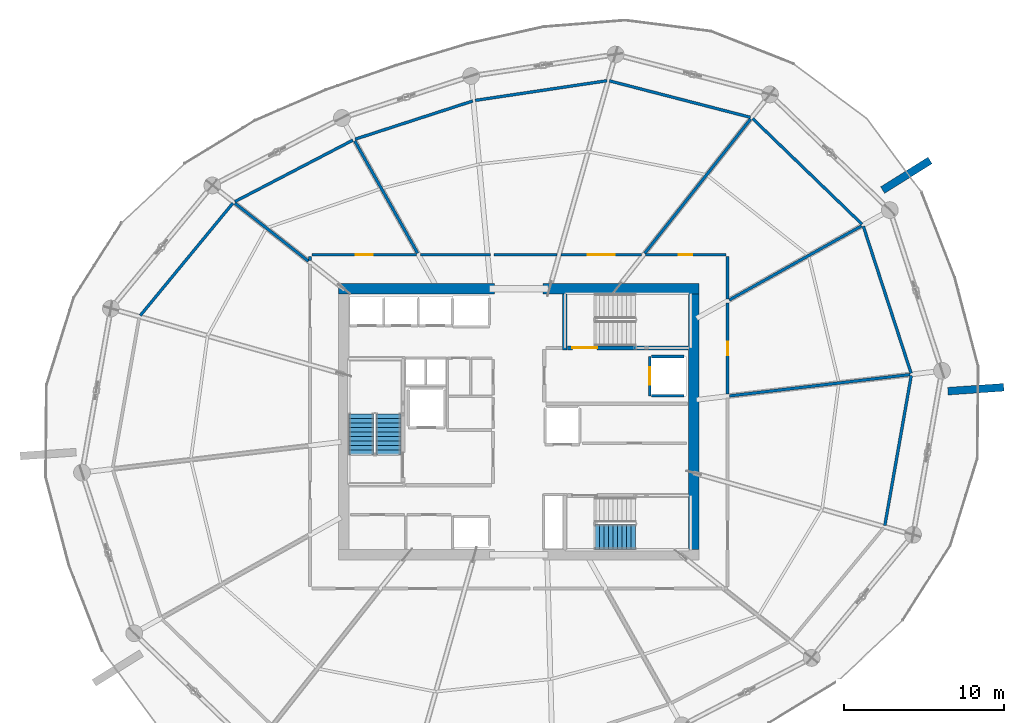
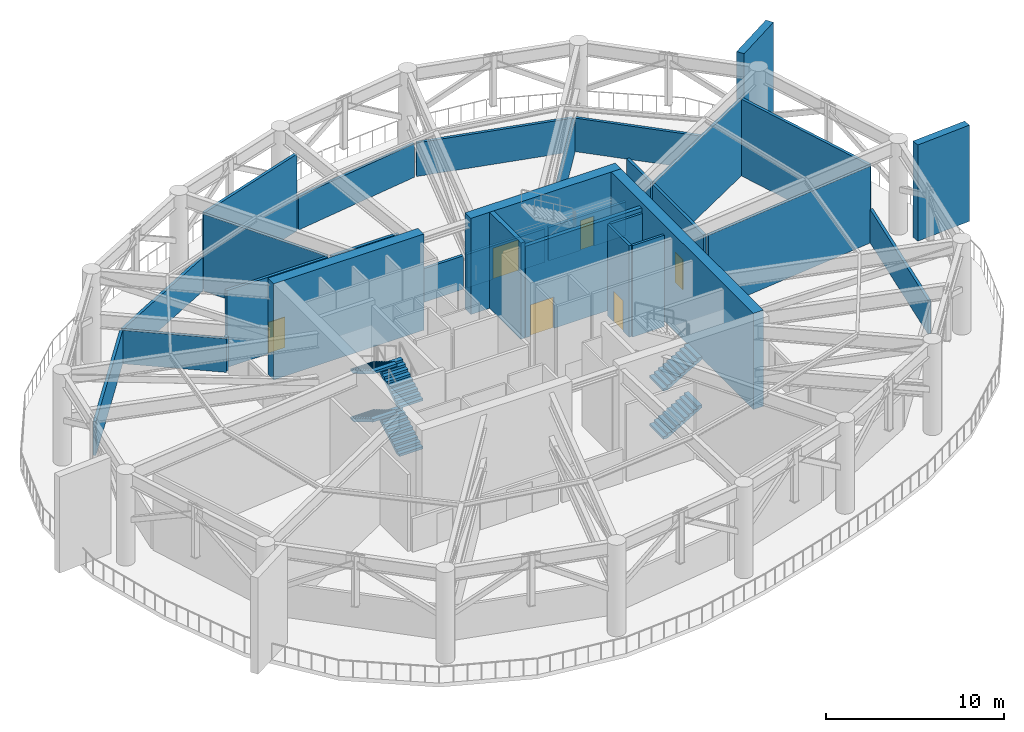
# One storey, part 14 of 20: 31 walls, 6 doors, 6 stair flights, 6 openings, 2 elements without a shape of their own.
"""IFC4 building model written with IfcOpenShell, lengths in metres."""

from ifc_helpers import new_model, si_unit, direction, frame, frame_2d, origin, place, context, subcontext, project, spatial, polyline, rectangle, outline, extrude, material, layer, layer_set, type_object, element, fill, aggregate, save


model = new_model("IFC4")

# Units and contexts
model_context = context("Model", 3, precision=1e-05, world=origin(), true_north=direction((0.0, 1.0)))
body_context = subcontext(model_context, "Body", "Model", "MODEL_VIEW")
ifc_project = project(units=[si_unit("LENGTHUNIT", "METRE"), si_unit("AREAUNIT", "SQUARE_METRE"), si_unit("VOLUMEUNIT", "CUBIC_METRE"), si_unit("PLANEANGLEUNIT", "RADIAN"), si_unit("MASSUNIT", "GRAM", prefix="KILO")], contexts=[model_context])

# Site, building, storey
site_placement = place(None, origin())
site = spatial("IfcSite", under=ifc_project, at=site_placement, CompositionType="ELEMENT")
building_placement = place(site_placement, origin())
building = spatial("IfcBuilding", under=site, at=building_placement, Name="Kazma Halo Residences", CompositionType="ELEMENT")
storey_placement = place(building_placement, frame((0.0, 0.0, 225.300048828125)))
storey = spatial("IfcBuildingStorey", under=building, at=storey_placement, Name="L57", CompositionType="ELEMENT", Elevation=225.300048828125)

# Walls
ifc_material_1 = material(Name="Pale Concrete C60/75", Category="concrete")
ifc_layer_1 = layer(ifc_material_1, 0.47998046875)
ifc_layer_set_1 = layer_set([ifc_layer_1], Name="Pale Concrete C60/75")
wall_type_1 = type_object("IfcWallType", Name="WL-BLADE-480", PredefinedType="SOLIDWALL", material=ifc_layer_set_1)
wall_1_placement = place(storey_placement, frame((71.197509765625, 56.49560546875, 0.0), z_axis=(0.0, 0.0, 1.0), x_axis=(0.848084507158, 0.529860989996, 0.0)))
element("IfcWall", 1, at=wall_1_placement, inside=storey, type_object=wall_type_1, Name="L57 pale concrete structural blade fin wall BW-01", PredefinedType="SOLIDWALL", context=body_context, shape_type="SweptSolid", body=[
    extrude(rectangle(XDim=3.5, YDim=0.47998046875, at=frame_2d((1.75, 0.0))), origin(), (0.0, 0.0, 1.0), 6.599853515625),
])
wall_2_placement = place(storey_placement, frame((75.28759765625, 43.908203125, 0.0), z_axis=(0.0, 0.0, 1.0), x_axis=(0.997563824095, 0.069759707979, 0.0)))
element("IfcWall", 2, at=wall_2_placement, inside=storey, type_object=wall_type_1, Name="L57 pale concrete structural blade fin wall BW-04", PredefinedType="SOLIDWALL", context=body_context, shape_type="SweptSolid", body=[
    extrude(rectangle(XDim=3.499755859375, YDim=0.47998046875, at=frame_2d((1.75, 0.0))), origin(), (0.0, 0.0, 1.0), 6.599853515625),
])
ifc_material_2 = material(Name="Concrete C60/75", Category="concrete")
ifc_layer_2 = layer(ifc_material_2, 0.64990234375)
ifc_layer_set_2 = layer_set([ifc_layer_2], Name="Concrete C60/75")
wall_type_2 = type_object("IfcWallType", Name="WL-CORE-650", PredefinedType="SHEAR", material=ifc_layer_set_2)
for number, where, z_axis, x_axis, name in (
    (3, (37.14990234375, 50.324951171875, 0.0), (0.0, 0.0, 1.0), (1.0, 0.0, 0.0), "L57 central core shear wall NW"),
    (4, (49.949951171875, 50.324951171875, 0.0), (0.0, 0.0, 1.0), (1.0, 0.0, 0.0), "L57 central core shear wall NE"),
):
    element("IfcWall", number, at=place(storey_placement, frame(where, z_axis=z_axis, x_axis=x_axis)), inside=storey, type_object=wall_type_2, Name=name, PredefinedType="SHEAR", context=body_context, shape_type="SweptSolid", body=[
        extrude(rectangle(XDim=9.75, YDim=0.64990234375, at=frame_2d((4.875, 0.0))), origin(), (0.0, 0.0, 1.0), 6.599853515625),
    ])
wall_3_placement = place(storey_placement, frame((59.375, 34.0, 0.0), z_axis=(0.0, 0.0, 1.0), x_axis=(0.0, 1.0, 0.0)))
element("IfcWall", 5, at=wall_3_placement, inside=storey, type_object=wall_type_2, Name="L57 central core shear wall E", PredefinedType="SHEAR", context=body_context, shape_type="SweptSolid", body=[
    extrude(rectangle(XDim=16.0, YDim=0.64990234375, at=frame_2d((8.0, 0.0))), origin(), (0.0, 0.0, 1.0), 6.599853515625),
])
ifc_layer_3 = layer(ifc_material_2, 0.280029296875)
ifc_layer_set_3 = layer_set([ifc_layer_3], Name="Concrete C60/75")
wall_type_3 = type_object("IfcWallType", Name="WL-CORE-ST-280", PredefinedType="SHEAR", material=ifc_layer_set_3)
wall_4_placement = place(storey_placement, frame((51.31005859375, 46.5, 0.0), z_axis=(0.0, 0.0, 1.0), x_axis=(0.0, 1.0, 0.0)))
element("IfcWall", 6, at=wall_4_placement, inside=storey, type_object=wall_type_3, Name="L57 stairwell bearing wall ST02-W", PredefinedType="SHEAR", context=body_context, shape_type="SweptSolid", body=[
    extrude(rectangle(XDim=3.5, YDim=0.280029296875, at=frame_2d((1.75, 0.0))), origin(), (0.0, 0.0, 1.0), 6.599853515625),
])
ifc_material_3 = material(Name="Acoustic Twin-Stud Gypsum")
ifc_layer_4 = layer(ifc_material_3, 0.179931640625)
ifc_layer_set_4 = layer_set([ifc_layer_4], Name="Acoustic Twin-Stud Gypsum")
wall_type_4 = type_object("IfcWallType", Name="WL-DEM-180", PredefinedType="PARTITIONING", material=ifc_layer_set_4)
wall_5_placement = place(storey_placement, frame((69.910400390625, 54.358154296875, 0.0), z_axis=(0.0, 0.0, 1.0), x_axis=(-0.719354198581, 0.694643460334, 0.0)))
element("IfcWall", 7, at=wall_5_placement, inside=storey, type_object=wall_type_4, Name="L57 refuge acoustic perimeter wall 00", PredefinedType="PARTITIONING", context=body_context, shape_type="SweptSolid", body=[
    extrude(rectangle(XDim=9.524169921875, YDim=0.179931640625, at=frame_2d((4.76220703125, 0.0))), origin(), (0.0, 0.0, 1.0), 2.303955078125),
])
wall_6_placement = place(storey_placement, frame((62.92431640625, 61.049560546875, 0.0), z_axis=(0.0, 0.0, 1.0), x_axis=(-0.968121608103, 0.250480641813, 0.0)))
element("IfcWall", 8, at=wall_6_placement, inside=storey, type_object=wall_type_4, Name="L57 refuge acoustic perimeter wall 01", PredefinedType="PARTITIONING", context=body_context, shape_type="SweptSolid", body=[
    extrude(rectangle(XDim=9.115234375, YDim=0.179931640625, at=frame_2d((4.5576171875, 0.0))), origin(), (0.0, 0.0, 1.0), 2.303955078125),
])
wall_7_placement = place(storey_placement, frame((53.943115234375, 63.3408203125, 0.0), z_axis=(0.0, 0.0, 1.0), x_axis=(-0.989036897226, -0.147668601692, 0.0)))
element("IfcWall", 9, at=wall_7_placement, inside=storey, type_object=wall_type_4, Name="L57 refuge acoustic perimeter wall 02", PredefinedType="PARTITIONING", context=body_context, shape_type="SweptSolid", body=[
    extrude(rectangle(XDim=8.334228515625, YDim=0.179931640625, at=frame_2d((4.1669921875, 0.0))), origin(), (0.0, 0.0, 1.0), 2.303955078125),
])
wall_8_placement = place(storey_placement, frame((45.545166015625, 62.073486328125, 0.0), z_axis=(0.0, 0.0, 1.0), x_axis=(-0.951063515405, -0.308995452498, 0.0)))
element("IfcWall", 10, at=wall_8_placement, inside=storey, type_object=wall_type_4, Name="L57 refuge acoustic perimeter wall 03", PredefinedType="PARTITIONING", context=body_context, shape_type="SweptSolid", body=[
    extrude(rectangle(XDim=7.73681640625, YDim=0.179931640625, at=frame_2d((3.868408203125, 0.0))), origin(), (0.0, 0.0, 1.0), 5.27294921875),
])
wall_9_placement = place(storey_placement, frame((38.0400390625, 59.62109375, 0.0), z_axis=(0.0, 0.0, 1.0), x_axis=(-0.886953337161, -0.461859045271, 0.0)))
element("IfcWall", 11, at=wall_9_placement, inside=storey, type_object=wall_type_4, Name="L57 refuge acoustic perimeter wall 04", PredefinedType="PARTITIONING", context=body_context, shape_type="SweptSolid", body=[
    extrude(rectangle(XDim=8.333984375, YDim=0.179931640625, at=frame_2d((4.1669921875, 0.0))), origin(), (0.0, 0.0, 1.0), 2.303955078125),
])
wall_10_placement = place(storey_placement, frame((30.5263671875, 55.67333984375, 0.0), z_axis=(0.0, 0.0, 1.0), x_axis=(-0.636001991142, -0.771687415514, 0.0)))
element("IfcWall", 12, at=wall_10_placement, inside=storey, type_object=wall_type_4, Name="L57 refuge acoustic perimeter wall 05", PredefinedType="PARTITIONING", context=body_context, shape_type="SweptSolid", body=[
    extrude(rectangle(XDim=9.115234375, YDim=0.179931640625, at=frame_2d((4.5576171875, 0.0))), origin(), (0.0, 0.0, 1.0), 2.303955078125),
])
wall_11_placement = place(storey_placement, frame((71.335693359375, 35.501220703125, 0.0), z_axis=(0.0, 0.0, 1.0), x_axis=(0.173669808034, 0.98480393875, 0.0)))
element("IfcWall", 13, at=wall_11_placement, inside=storey, type_object=wall_type_4, Name="L57 refuge acoustic perimeter wall 14", PredefinedType="PARTITIONING", context=body_context, shape_type="SweptSolid", body=[
    extrude(rectangle(XDim=9.524169921875, YDim=0.179931640625, at=frame_2d((4.76220703125, 0.0))), origin(), (0.0, 0.0, 1.0), 2.303955078125),
])
wall_12_placement = place(storey_placement, frame((72.97900390625, 45.035400390625, 0.0), z_axis=(0.0, 0.0, 1.0), x_axis=(-0.309041515545, 0.951048548534, 0.0)))
element("IfcWall", 14, at=wall_12_placement, inside=storey, type_object=wall_type_4, Name="L57 refuge acoustic perimeter wall 15", PredefinedType="PARTITIONING", context=body_context, shape_type="SweptSolid", body=[
    extrude(rectangle(XDim=9.6640625, YDim=0.179931640625, at=frame_2d((4.83203125, 0.0))), origin(), (0.0, 0.0, 1.0), 5.27294921875),
])

# Wall, opening, door
wall_13_placement = place(storey_placement, frame((56.1181640625, 52.449951171875, 0.0), z_axis=(0.0, 0.0, 1.0), x_axis=(-1.0, 0.0, 0.0)))
wall_13 = element("IfcWall", 15, at=wall_13_placement, inside=storey, type_object=wall_type_4, Name="L57 L57 East Refuge Area corridor wall", PredefinedType="PARTITIONING", context=body_context, shape_type="SweptSolid", body=[
    extrude(rectangle(XDim=5.051025390625, YDim=0.179931640625, at=frame_2d((2.525390625, 0.0))), origin(), (0.0, 0.0, 1.0), 2.303955078125),
])
opening_1_placement = place(wall_13_placement, frame((1.67529296875, 0.0, 0.0)))
opening_1 = element("IfcOpeningElement", 16, at=opening_1_placement, cuts=wall_13, Name="Opening DL-1800", PredefinedType="OPENING", context=body_context, shape_type="SweptSolid", body=[
    extrude(rectangle(XDim=1.699951171875, YDim=2.14990234375, at=frame_2d((0.85009765625, 1.074951171875))), frame((0.0, 0.099853515625, 0.0), z_axis=(0.0, -1.0, 0.0), x_axis=(1.0, 0.0, 0.0)), (0.0, 0.0, 1.0), 0.199951171875),
])
ifc_material_4 = material(Name="Glazed Aluminium Double Leaf", Category="aluminium")
door_type_1 = type_object("IfcDoorType", Name="DR-LGE-1800", OperationType="NOTDEFINED", PredefinedType="DOOR", material=ifc_material_4)
door_1_placement = place(opening_1_placement, origin())
door_1 = element("IfcDoor", 17, at=door_1_placement, inside=storey, type_object=door_type_1, Name="L57 L57 East Refuge Area door", OperationType="DOUBLE_DOOR_SINGLE_SWING", OverallHeight=2.14990234375, OverallWidth=1.699951171875, PredefinedType="DOOR", context=body_context, shape_type="SweptSolid", body=[
    extrude(rectangle(XDim=1.699951171875, YDim=2.14990234375, at=frame_2d((0.85009765625, 1.074951171875))), frame((0.0, 0.02490234375, 0.0), z_axis=(0.0, -1.0, 0.0), x_axis=(1.0, 0.0, 0.0)), (0.0, 0.0, 1.0), 0.050048828125),
])
fill(opening_1, door_1)

# Walls
wall_14_placement = place(storey_placement, frame((50.8271484375, 52.449951171875, 0.0), z_axis=(0.0, 0.0, 1.0), x_axis=(-1.0, 0.0, 0.0)))
element("IfcWall", 18, at=wall_14_placement, inside=storey, type_object=wall_type_4, Name="L57 L57 East Refuge Area corridor wall", PredefinedType="PARTITIONING", context=body_context, shape_type="SweptSolid", body=[
    extrude(rectangle(XDim=3.94384765625, YDim=0.179931640625, at=frame_2d((1.971923828125, 0.0))), origin(), (0.0, 0.0, 1.0), 2.303955078125),
])
wall_15_placement = place(storey_placement, frame((46.643310546875, 52.449951171875, 0.0), z_axis=(0.0, 0.0, 1.0), x_axis=(-1.0, 0.0, 0.0)))
element("IfcWall", 19, at=wall_15_placement, inside=storey, type_object=wall_type_4, Name="L57 L57 East Refuge Area corridor wall", PredefinedType="PARTITIONING", context=body_context, shape_type="SweptSolid", body=[
    extrude(rectangle(XDim=4.375732421875, YDim=0.179931640625, at=frame_2d((2.18798828125, 0.0))), origin(), (0.0, 0.0, 1.0), 5.27294921875),
])
wall_16_placement = place(storey_placement, frame((56.30615234375, 52.536376953125, 0.0), z_axis=(0.0, 0.0, 1.0), x_axis=(0.619085632085, 0.785323487581, 0.0)))
element("IfcWall", 20, at=wall_16_placement, inside=storey, type_object=wall_type_4, Name="L57 radial partition wall 01", PredefinedType="PARTITIONING", context=body_context, shape_type="SweptSolid", body=[
    extrude(rectangle(XDim=10.715087890625, YDim=0.179931640625, at=frame_2d((5.357421875, 0.0))), origin(), (0.0, 0.0, 1.0), 2.303955078125),
])
wall_17_placement = place(storey_placement, frame((42.093994140625, 52.5458984375, 0.0), z_axis=(0.0, 0.0, 1.0), x_axis=(-0.488616295632, 0.872498776872, 0.0)))
element("IfcWall", 21, at=wall_17_placement, inside=storey, type_object=wall_type_4, Name="L57 radial partition wall 04", PredefinedType="PARTITIONING", context=body_context, shape_type="SweptSolid", body=[
    extrude(rectangle(XDim=8.051513671875, YDim=0.179931640625, at=frame_2d((4.02587890625, 0.0))), origin(), (0.0, 0.0, 1.0), 5.27294921875),
])

# Wall, opening, door
wall_18_placement = place(storey_placement, frame((42.027587890625, 52.449951171875, 0.0), z_axis=(0.0, 0.0, 1.0), x_axis=(-1.0, 0.0, 0.0)))
wall_18 = element("IfcWall", 22, at=wall_18_placement, inside=storey, type_object=wall_type_4, Name="L57 L57 Chiller Cooling Plant Room corridor wall", PredefinedType="PARTITIONING", context=body_context, shape_type="SweptSolid", body=[
    extrude(rectangle(XDim=6.5576171875, YDim=0.179931640625, at=frame_2d((3.27880859375, 0.0))), origin(), (0.0, 0.0, 1.0), 5.27294921875),
])
opening_2_placement = place(wall_18_placement, frame((2.75390625, 0.0, 0.0)))
opening_2 = element("IfcOpeningElement", 23, at=opening_2_placement, cuts=wall_18, Name="Opening DF-1050", PredefinedType="OPENING", context=body_context, shape_type="SweptSolid", body=[
    extrude(rectangle(XDim=1.050048828125, YDim=2.10009765625, at=frame_2d((0.52490234375, 1.050048828125))), frame((0.0, 0.099853515625, 0.0), z_axis=(0.0, -1.0, 0.0), x_axis=(1.0, 0.0, 0.0)), (0.0, 0.0, 1.0), 0.199951171875),
])
ifc_material_5 = material(Name="Fire-Rated Steel Leaf", Category="steel")
door_type_2 = type_object("IfcDoorType", Name="DR-FD90-1050", OperationType="NOTDEFINED", PredefinedType="DOOR", material=ifc_material_5)
door_2_placement = place(opening_2_placement, origin())
door_2 = element("IfcDoor", 24, at=door_2_placement, inside=storey, type_object=door_type_2, Name="L57 L57 Chiller Cooling Plant Room door", OperationType="SINGLE_SWING_RIGHT", OverallHeight=2.10009765625, OverallWidth=1.050048828125, PredefinedType="DOOR", context=body_context, shape_type="SweptSolid", body=[
    extrude(rectangle(XDim=1.050048828125, YDim=2.10009765625, at=frame_2d((0.52490234375, 1.050048828125))), frame((0.0, 0.02490234375, 0.0), z_axis=(0.0, -1.0, 0.0), x_axis=(1.0, 0.0, 0.0)), (0.0, 0.0, 1.0), 0.050048828125),
])
fill(opening_2, door_2)

# Walls
wall_19_placement = place(storey_placement, frame((35.35009765625, 52.330078125, 0.0), z_axis=(0.0, 0.0, 1.0), x_axis=(0.0, -1.0, 0.0)))
element("IfcWall", 25, at=wall_19_placement, inside=storey, type_object=wall_type_4, Name="L57 L57 Chiller Cooling Plant Room corridor wall", PredefinedType="PARTITIONING", context=body_context, shape_type="SweptSolid", body=[
    extrude(rectangle(XDim=0.237548828125, YDim=0.179931640625, at=frame_2d((0.11865234375, 0.0))), origin(), (0.0, 0.0, 1.0), 2.303955078125),
])
wall_20_placement = place(storey_placement, frame((35.263671875, 52.04052734375, 0.0), z_axis=(0.0, 0.0, 1.0), x_axis=(-0.785318182399, 0.619092361763, 0.0)))
element("IfcWall", 26, at=wall_20_placement, inside=storey, type_object=wall_type_4, Name="L57 radial partition wall 05", PredefinedType="PARTITIONING", context=body_context, shape_type="SweptSolid", body=[
    extrude(rectangle(XDim=5.86767578125, YDim=0.179931640625, at=frame_2d((2.933837890625, 0.0))), origin(), (0.0, 0.0, 1.0), 2.303955078125),
])
wall_21_placement = place(storey_placement, frame((61.609130859375, 43.610595703125, 0.0), z_axis=(0.0, 0.0, 1.0), x_axis=(0.993068014992, 0.117541131527, 0.0)))
element("IfcWall", 27, at=wall_21_placement, inside=storey, type_object=wall_type_4, Name="L57 radial partition wall 15", PredefinedType="PARTITIONING", context=body_context, shape_type="SweptSolid", body=[
    extrude(rectangle(XDim=11.3740234375, YDim=0.179931640625, at=frame_2d((5.68701171875, 0.0))), origin(), (0.0, 0.0, 1.0), 5.27294921875),
])

# Wall, opening, door
wall_22_placement = place(storey_placement, frame((61.5, 43.7177734375, 0.0), z_axis=(0.0, 0.0, 1.0), x_axis=(0.0, 1.0, 0.0)))
wall_22 = element("IfcWall", 28, at=wall_22_placement, inside=storey, type_object=wall_type_4, Name="L57 L57 HV Switchgear Plant Room corridor wall", PredefinedType="PARTITIONING", context=body_context, shape_type="SweptSolid", body=[
    extrude(rectangle(XDim=5.72265625, YDim=0.179931640625, at=frame_2d((2.861328125, 0.0))), origin(), (0.0, 0.0, 1.0), 5.27294921875),
])
opening_3_placement = place(wall_22_placement, frame((2.436279296875, 0.0, 0.0)))
opening_3 = element("IfcOpeningElement", 29, at=opening_3_placement, cuts=wall_22, Name="Opening DS-850", PredefinedType="OPENING", context=body_context, shape_type="SweptSolid", body=[
    extrude(rectangle(XDim=0.85009765625, YDim=2.06005859375, at=frame_2d((0.425048828125, 1.030029296875))), frame((0.0, 0.099853515625, 0.0), z_axis=(0.0, -1.0, 0.0), x_axis=(1.0, 0.0, 0.0)), (0.0, 0.0, 1.0), 0.199951171875),
])
ifc_material_6 = material(Name="Painted Steel Access Leaf", Category="steel")
door_type_3 = type_object("IfcDoorType", Name="DR-SVC-850", OperationType="NOTDEFINED", PredefinedType="DOOR", material=ifc_material_6)
door_3_placement = place(opening_3_placement, origin())
door_3 = element("IfcDoor", 30, at=door_3_placement, inside=storey, type_object=door_type_3, Name="L57 L57 HV Switchgear Plant Room door", OperationType="SINGLE_SWING_LEFT", OverallHeight=2.06005859375, OverallWidth=0.85009765625, PredefinedType="DOOR", context=body_context, shape_type="SweptSolid", body=[
    extrude(rectangle(XDim=0.85009765625, YDim=2.06005859375, at=frame_2d((0.425048828125, 1.030029296875))), frame((0.0, 0.02490234375, 0.0), z_axis=(0.0, -1.0, 0.0), x_axis=(1.0, 0.0, 0.0)), (0.0, 0.0, 1.0), 0.050048828125),
])
fill(opening_3, door_3)

# Walls
wall_23_placement = place(storey_placement, frame((61.595947265625, 49.614013671875, 0.0), z_axis=(0.0, 0.0, 1.0), x_axis=(0.872495493118, 0.488622159227, 0.0)))
element("IfcWall", 31, at=wall_23_placement, inside=storey, type_object=wall_type_4, Name="L57 radial partition wall 00", PredefinedType="PARTITIONING", context=body_context, shape_type="SweptSolid", body=[
    extrude(rectangle(XDim=9.495361328125, YDim=0.179931640625, at=frame_2d((4.74755859375, 0.0))), origin(), (0.0, 0.0, 1.0), 5.27294921875),
])
wall_24_placement = place(storey_placement, frame((61.5, 49.680419921875, 0.0), z_axis=(0.0, 0.0, 1.0), x_axis=(0.0, 1.0, 0.0)))
element("IfcWall", 32, at=wall_24_placement, inside=storey, type_object=wall_type_4, Name="L57 L57 Emergency BMS Mechanical Plant Room corridor wall", PredefinedType="PARTITIONING", context=body_context, shape_type="SweptSolid", body=[
    extrude(rectangle(XDim=2.649658203125, YDim=0.179931640625, at=frame_2d((1.32470703125, 0.0))), origin(), (0.0, 0.0, 1.0), 5.27294921875),
])

# Wall, opening, door
wall_25_placement = place(storey_placement, frame((61.3798828125, 52.449951171875, 0.0), z_axis=(0.0, 0.0, 1.0), x_axis=(-1.0, 0.0, 0.0)))
wall_25 = element("IfcWall", 33, at=wall_25_placement, inside=storey, type_object=wall_type_4, Name="L57 L57 Emergency BMS Mechanical Plant Room corridor wall", PredefinedType="PARTITIONING", context=body_context, shape_type="SweptSolid", body=[
    extrude(rectangle(XDim=5.021728515625, YDim=0.179931640625, at=frame_2d((2.5107421875, 0.0))), origin(), (0.0, 0.0, 1.0), 2.303955078125),
])
opening_4_placement = place(wall_25_placement, frame((2.0859375, 0.0, 0.0)))
opening_4 = element("IfcOpeningElement", 34, at=opening_4_placement, cuts=wall_25, Name="Opening DS-850", PredefinedType="OPENING", context=body_context, shape_type="SweptSolid", body=[
    extrude(rectangle(XDim=0.85009765625, YDim=2.06005859375, at=frame_2d((0.425048828125, 1.030029296875))), frame((0.0, 0.099853515625, 0.0), z_axis=(0.0, -1.0, 0.0), x_axis=(1.0, 0.0, 0.0)), (0.0, 0.0, 1.0), 0.199951171875),
])
door_4_placement = place(opening_4_placement, origin())
door_4 = element("IfcDoor", 35, at=door_4_placement, inside=storey, type_object=door_type_3, Name="L57 L57 Emergency BMS Mechanical Plant Room door", OperationType="SINGLE_SWING_RIGHT", OverallHeight=2.06005859375, OverallWidth=0.85009765625, PredefinedType="DOOR", context=body_context, shape_type="SweptSolid", body=[
    extrude(rectangle(XDim=0.85009765625, YDim=2.06005859375, at=frame_2d((0.425048828125, 1.030029296875))), frame((0.0, 0.02490234375, 0.0), z_axis=(0.0, -1.0, 0.0), x_axis=(1.0, 0.0, 0.0)), (0.0, 0.0, 1.0), 0.050048828125),
])
fill(opening_4, door_4)

ifc_material_7 = material(Name="Fire-Rated Blockwork Masonry", Category="masonry")
ifc_layer_5 = layer(ifc_material_7, 0.199951171875)
ifc_layer_set_5 = layer_set([ifc_layer_5], Name="Fire-Rated Blockwork Masonry")
wall_type_5 = type_object("IfcWallType", Name="WL-FLB-200", PredefinedType="PARTITIONING", material=ifc_layer_set_5)
wall_26_placement = place(storey_placement, frame((56.6201171875, 46.080078125, 0.0), z_axis=(0.0, 0.0, 1.0), x_axis=(0.0, -1.0, 0.0)))
wall_26 = element("IfcWall", 36, at=wall_26_placement, inside=storey, type_object=wall_type_5, Name="L57 lift shaft FL-02 front wall", PredefinedType="PARTITIONING", context=body_context, shape_type="SweptSolid", body=[
    extrude(rectangle(XDim=2.4599609375, YDim=0.159912109375, at=frame_2d((1.22998046875, 0.0))), origin(), (0.0, 0.0, 1.0), 6.280029296875),
])
opening_5_placement = place(wall_26_placement, frame((0.679931640625, 0.0, 0.0)))
opening_5 = element("IfcOpeningElement", 37, at=opening_5_placement, cuts=wall_26, Name="Opening LD-FL-02", PredefinedType="OPENING", context=body_context, shape_type="SweptSolid", body=[
    extrude(rectangle(XDim=1.10009765625, YDim=2.10009765625, at=frame_2d((0.550048828125, 1.050048828125))), frame((0.0, 0.08984375, 0.0), z_axis=(0.0, -1.0, 0.0), x_axis=(1.0, 0.0, 0.0)), (0.0, 0.0, 1.0), 0.179931640625),
])
ifc_material_8 = material(Name="Stainless Steel Fire-Rated", Category="steel")
door_type_4 = type_object("IfcDoorType", Name="DR-LIFT-SLD-1100", OperationType="DOUBLE_DOOR_SLIDING", PredefinedType="DOOR", material=ifc_material_8)
door_5_placement = place(opening_5_placement, origin())
door_5 = element("IfcDoor", 38, at=door_5_placement, inside=storey, type_object=door_type_4, Name="L57 lift FL-02 sliding landing door", OperationType="DOUBLE_DOOR_SLIDING", OverallHeight=2.10009765625, OverallWidth=1.10009765625, PredefinedType="DOOR", context=body_context, shape_type="SweptSolid", body=[
    extrude(rectangle(XDim=1.10009765625, YDim=2.10009765625, at=frame_2d((0.550048828125, 1.050048828125))), frame((0.0, 0.02490234375, 0.0), z_axis=(0.0, -1.0, 0.0), x_axis=(1.0, 0.0, 0.0)), (0.0, 0.0, 1.0), 0.050048828125),
])
fill(opening_5, door_5)

# Walls
for number, where, z_axis, x_axis, name in (
    (39, (56.719970703125, 46.080078125, 0.0), (0.0, 0.0, 1.0), (1.0, 0.0, 0.0), "L57 lift shaft FL-02 side wall N"),
    (40, (56.719970703125, 43.6201171875, 0.0), (0.0, 0.0, 1.0), (1.0, 0.0, 0.0), "L57 lift shaft FL-02 side wall S"),
):
    element("IfcWall", number, at=place(storey_placement, frame(where, z_axis=z_axis, x_axis=x_axis)), inside=storey, type_object=wall_type_5, Name=name, PredefinedType="PARTITIONING", context=body_context, shape_type="SweptSolid", body=[
        extrude(rectangle(XDim=2.06005859375, YDim=0.159912109375, at=frame_2d((1.030029296875, 0.0))), origin(), (0.0, 0.0, 1.0), 6.280029296875),
    ])

# Wall, opening, door
ifc_material_9 = material(Name="Concrete C50/60", Category="concrete")
ifc_layer_6 = layer(ifc_material_9, 0.25)
ifc_layer_set_6 = layer_set([ifc_layer_6], Name="Concrete C50/60")
wall_type_6 = type_object("IfcWallType", Name="WL-SHF-250", PredefinedType="SOLIDWALL", material=ifc_layer_set_6)
wall_27_placement = place(storey_placement, frame((51.47998046875, 46.6201171875, 0.0), z_axis=(0.0, 0.0, 1.0), x_axis=(1.0, 0.0, 0.0)))
wall_27 = element("IfcWall", 41, at=wall_27_placement, inside=storey, type_object=wall_type_6, Name="L57 exit stair ST-02 enclosure wall", PredefinedType="SOLIDWALL", context=body_context, shape_type="SweptSolid", body=[
    extrude(rectangle(XDim=7.5400390625, YDim=0.25, at=frame_2d((3.77001953125, 0.0))), origin(), (0.0, 0.0, 1.0), 6.280029296875),
])
opening_6_placement = place(wall_27_placement, frame((0.300048828125, 0.0, 0.0)))
opening_6 = element("IfcOpeningElement", 42, at=opening_6_placement, cuts=wall_27, Name="Opening D-ST2", PredefinedType="OPENING", context=body_context, shape_type="SweptSolid", body=[
    extrude(rectangle(XDim=1.550048828125, YDim=2.14990234375, at=frame_2d((0.77490234375, 1.074951171875))), frame((0.0, 0.135009765625, 0.0), z_axis=(0.0, -1.0, 0.0), x_axis=(1.0, 0.0, 0.0)), (0.0, 0.0, 1.0), 0.27001953125),
])
ifc_material_10 = material(Name="Fire-Rated Double Steel Leaf", Category="steel")
door_type_5 = type_object("IfcDoorType", Name="DR-FD90-1550", OperationType="NOTDEFINED", PredefinedType="DOOR", material=ifc_material_10)
door_6_placement = place(opening_6_placement, origin())
door_6 = element("IfcDoor", 43, at=door_6_placement, inside=storey, type_object=door_type_5, Name="L57 exit stair ST-02 fire door", OperationType="DOUBLE_DOOR_SINGLE_SWING", OverallHeight=2.14990234375, OverallWidth=1.550048828125, PredefinedType="DOOR", context=body_context, shape_type="SweptSolid", body=[
    extrude(rectangle(XDim=1.550048828125, YDim=2.14990234375, at=frame_2d((0.77490234375, 1.074951171875))), frame((0.0, 0.02490234375, 0.0), z_axis=(0.0, -1.0, 0.0), x_axis=(1.0, 0.0, 0.0)), (0.0, 0.0, 1.0), 0.050048828125),
])
fill(opening_6, door_6)

# Stair, stair flights
stair_type = type_object("IfcStairType", Name="STR-CRWN", PredefinedType="HALF_TURN_STAIR", material=ifc_material_9)
stair_1_placement = place(storey_placement, origin())
stair_1 = element("IfcStair", 44, at=stair_1_placement, inside=storey, type_object=stair_type, Name="L57 Core exit stair ST-01", PredefinedType="HALF_TURN_STAIR")
stair_flight_type = type_object("IfcStairFlightType", Name="STR-CRWN-FLT", PredefinedType="STRAIGHT", material=ifc_material_9)
stair_flight_1_placement = place(storey_placement, frame((40.27490234375, 39.949951171875, 0.0), z_axis=(0.0, 0.0, 1.0), x_axis=(0.0, 1.0, 0.0)))
stair_flight_1 = element("IfcStairFlight", 45, at=stair_flight_1_placement, type_object=stair_flight_type, Name="ST-01 flight 1", NumberOfRisers=10, NumberOfTreads=9, PredefinedType="STRAIGHT", RiserHeight=0.165, TreadLength=0.28, context=body_context, shape_type="SweptSolid", body=[
    extrude(outline(polyline([(0.0, 0.0), (0.0, 0.1650390625), (0.280029296875, 0.1650390625), (0.280029296875, 0.330078125), (0.56005859375, 0.330078125), (0.56005859375, 0.4951171875), (0.840087890625, 0.4951171875), (0.840087890625, 0.659912109375), (1.1201171875, 0.659912109375), (1.1201171875, 0.824951171875), (1.39990234375, 0.824951171875), (1.39990234375, 0.989990234375), (1.679931640625, 0.989990234375), (1.679931640625, 1.155029296875), (1.9599609375, 1.155029296875), (1.9599609375, 1.320068359375), (2.239990234375, 1.320068359375), (2.239990234375, 1.485107421875), (2.52001953125, 1.485107421875), (2.52001953125, 1.64990234375), (2.52001953125, 1.31103515625), (0.295166015625, 0.0), (0.0, 0.0)])), frame((0.0, 0.77490234375, 0.0), z_axis=(0.0, -1.0, 0.0), x_axis=(1.0, 0.0, 0.0)), (0.0, 0.0, 1.0), 1.550048828125),
])
stair_flight_2_placement = place(storey_placement, frame((38.574951171875, 42.469970703125, 1.64990234375), z_axis=(0.0, 0.0, 1.0), x_axis=(0.0, -1.0, 0.0)))
stair_flight_2 = element("IfcStairFlight", 46, at=stair_flight_2_placement, type_object=stair_flight_type, Name="ST-01 flight 2", NumberOfRisers=10, NumberOfTreads=9, PredefinedType="STRAIGHT", RiserHeight=0.165, TreadLength=0.28, context=body_context, shape_type="SweptSolid", body=[
    extrude(outline(polyline([(0.0, 0.0), (0.0, 0.1650390625), (0.280029296875, 0.1650390625), (0.280029296875, 0.330078125), (0.56005859375, 0.330078125), (0.56005859375, 0.4951171875), (0.840087890625, 0.4951171875), (0.840087890625, 0.659912109375), (1.1201171875, 0.659912109375), (1.1201171875, 0.824951171875), (1.39990234375, 0.824951171875), (1.39990234375, 0.989990234375), (1.679931640625, 0.989990234375), (1.679931640625, 1.155029296875), (1.9599609375, 1.155029296875), (1.9599609375, 1.320068359375), (2.239990234375, 1.320068359375), (2.239990234375, 1.485107421875), (2.52001953125, 1.485107421875), (2.52001953125, 1.64990234375), (2.52001953125, 1.31103515625), (0.295166015625, 0.0), (0.0, 0.0)])), frame((0.0, 0.77490234375, 0.0), z_axis=(0.0, -1.0, 0.0), x_axis=(1.0, 0.0, 0.0)), (0.0, 0.0, 1.0), 1.550048828125),
])
stair_flight_3_placement = place(storey_placement, frame((40.27490234375, 39.949951171875, 3.300048828125), z_axis=(0.0, 0.0, 1.0), x_axis=(0.0, 1.0, 0.0)))
stair_flight_3 = element("IfcStairFlight", 47, at=stair_flight_3_placement, type_object=stair_flight_type, Name="ST-01 flight 3", NumberOfRisers=10, NumberOfTreads=9, PredefinedType="STRAIGHT", RiserHeight=0.165, TreadLength=0.28, context=body_context, shape_type="SweptSolid", body=[
    extrude(outline(polyline([(0.0, 0.0), (0.0, 0.1650390625), (0.280029296875, 0.1650390625), (0.280029296875, 0.330078125), (0.56005859375, 0.330078125), (0.56005859375, 0.4951171875), (0.840087890625, 0.4951171875), (0.840087890625, 0.659912109375), (1.1201171875, 0.659912109375), (1.1201171875, 0.824951171875), (1.39990234375, 0.824951171875), (1.39990234375, 0.989990234375), (1.679931640625, 0.989990234375), (1.679931640625, 1.155029296875), (1.9599609375, 1.155029296875), (1.9599609375, 1.320068359375), (2.239990234375, 1.320068359375), (2.239990234375, 1.485107421875), (2.52001953125, 1.485107421875), (2.52001953125, 1.64990234375), (2.52001953125, 1.31103515625), (0.295166015625, 0.0), (0.0, 0.0)])), frame((0.0, 0.77490234375, 0.0), z_axis=(0.0, -1.0, 0.0), x_axis=(1.0, 0.0, 0.0)), (0.0, 0.0, 1.0), 1.550048828125),
])
stair_flight_4_placement = place(storey_placement, frame((38.574951171875, 42.469970703125, 4.949951171875), z_axis=(0.0, 0.0, 1.0), x_axis=(0.0, -1.0, 0.0)))
stair_flight_4 = element("IfcStairFlight", 48, at=stair_flight_4_placement, type_object=stair_flight_type, Name="ST-01 flight 4", NumberOfRisers=10, NumberOfTreads=9, PredefinedType="STRAIGHT", RiserHeight=0.165, TreadLength=0.28, context=body_context, shape_type="SweptSolid", body=[
    extrude(outline(polyline([(0.0, 0.0), (0.0, 0.1650390625), (0.280029296875, 0.1650390625), (0.280029296875, 0.330078125), (0.56005859375, 0.330078125), (0.56005859375, 0.4951171875), (0.840087890625, 0.4951171875), (0.840087890625, 0.659912109375), (1.1201171875, 0.659912109375), (1.1201171875, 0.824951171875), (1.39990234375, 0.824951171875), (1.39990234375, 0.989990234375), (1.679931640625, 0.989990234375), (1.679931640625, 1.155029296875), (1.9599609375, 1.155029296875), (1.9599609375, 1.320068359375), (2.239990234375, 1.320068359375), (2.239990234375, 1.485107421875), (2.52001953125, 1.485107421875), (2.52001953125, 1.64990234375), (2.52001953125, 1.31103515625), (0.295166015625, 0.0), (0.0, 0.0)])), frame((0.0, 0.77490234375, 0.0), z_axis=(0.0, -1.0, 0.0), x_axis=(1.0, 0.0, 0.0)), (0.0, 0.0, 1.0), 1.550048828125),
])
aggregate(stair_1, [stair_flight_1, stair_flight_2, stair_flight_3, stair_flight_4])

stair_2_placement = place(storey_placement, origin())
stair_2 = element("IfcStair", 49, at=stair_2_placement, inside=storey, type_object=stair_type, Name="L57 Core exit stair ST-03", PredefinedType="HALF_TURN_STAIR")
stair_flight_5_placement = place(storey_placement, frame((53.199951171875, 34.77490234375, 0.0), z_axis=(0.0, 0.0, 1.0), x_axis=(1.0, 0.0, 0.0)))
stair_flight_5 = element("IfcStairFlight", 50, at=stair_flight_5_placement, type_object=stair_flight_type, Name="ST-03 flight 1", NumberOfRisers=10, NumberOfTreads=9, PredefinedType="STRAIGHT", RiserHeight=0.165, TreadLength=0.28, context=body_context, shape_type="SweptSolid", body=[
    extrude(outline(polyline([(0.0, 0.0), (0.0, 0.1650390625), (0.280029296875, 0.1650390625), (0.280029296875, 0.330078125), (0.56005859375, 0.330078125), (0.56005859375, 0.4951171875), (0.840087890625, 0.4951171875), (0.840087890625, 0.659912109375), (1.1201171875, 0.659912109375), (1.1201171875, 0.824951171875), (1.39990234375, 0.824951171875), (1.39990234375, 0.989990234375), (1.679931640625, 0.989990234375), (1.679931640625, 1.155029296875), (1.9599609375, 1.155029296875), (1.9599609375, 1.320068359375), (2.239990234375, 1.320068359375), (2.239990234375, 1.485107421875), (2.52001953125, 1.485107421875), (2.52001953125, 1.64990234375), (2.52001953125, 1.31103515625), (0.295166015625, 0.0), (0.0, 0.0)])), frame((0.0, 0.77490234375, 0.0), z_axis=(0.0, -1.0, 0.0), x_axis=(1.0, 0.0, 0.0)), (0.0, 0.0, 1.0), 1.550048828125),
])
stair_flight_6_placement = place(storey_placement, frame((53.199951171875, 34.77490234375, 3.300048828125), z_axis=(0.0, 0.0, 1.0), x_axis=(1.0, 0.0, 0.0)))
stair_flight_6 = element("IfcStairFlight", 51, at=stair_flight_6_placement, type_object=stair_flight_type, Name="ST-03 flight 3", NumberOfRisers=10, NumberOfTreads=9, PredefinedType="STRAIGHT", RiserHeight=0.165, TreadLength=0.28, context=body_context, shape_type="SweptSolid", body=[
    extrude(outline(polyline([(0.0, 0.0), (0.0, 0.1650390625), (0.280029296875, 0.1650390625), (0.280029296875, 0.330078125), (0.56005859375, 0.330078125), (0.56005859375, 0.4951171875), (0.840087890625, 0.4951171875), (0.840087890625, 0.659912109375), (1.1201171875, 0.659912109375), (1.1201171875, 0.824951171875), (1.39990234375, 0.824951171875), (1.39990234375, 0.989990234375), (1.679931640625, 0.989990234375), (1.679931640625, 1.155029296875), (1.9599609375, 1.155029296875), (1.9599609375, 1.320068359375), (2.239990234375, 1.320068359375), (2.239990234375, 1.485107421875), (2.52001953125, 1.485107421875), (2.52001953125, 1.64990234375), (2.52001953125, 1.31103515625), (0.295166015625, 0.0), (0.0, 0.0)])), frame((0.0, 0.77490234375, 0.0), z_axis=(0.0, -1.0, 0.0), x_axis=(1.0, 0.0, 0.0)), (0.0, 0.0, 1.0), 1.550048828125),
])
aggregate(stair_2, [stair_flight_5, stair_flight_6])

save(model, "model.ifc")
